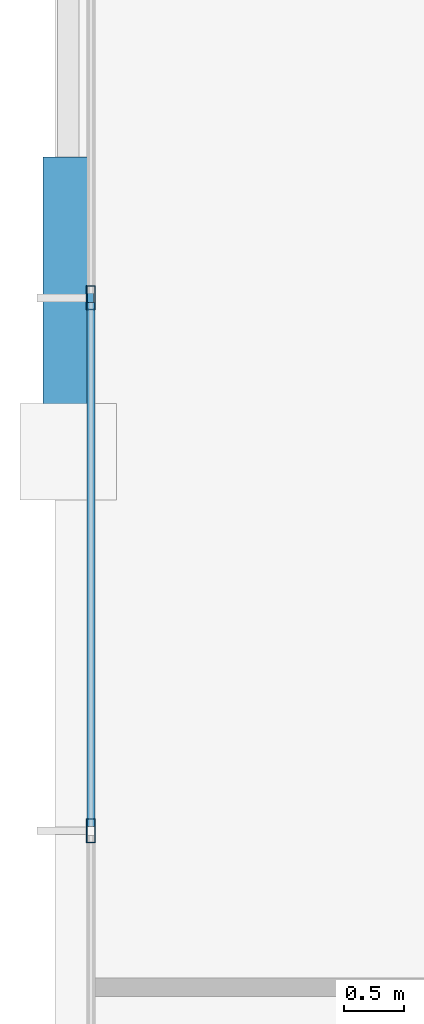
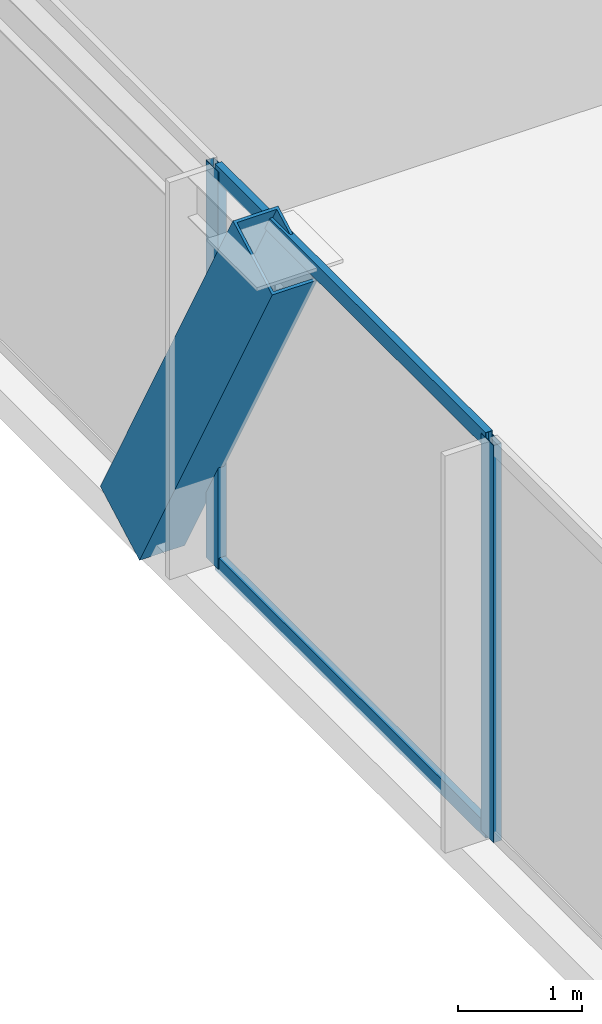
# One storey, part 11 of 46: 5 members, 1 element without a shape of its own.
"""IFC4 building model written with IfcOpenShell, lengths in metres."""

import ifcopenshell
import ifcopenshell.guid

model = None  # the IFC model being written
_history = None  # IfcOwnerHistory: only IFC2X3 demands one
_inside = {}  # id of a spatial element -> (the spatial element, [elements in it])
_under = {}  # id of a project, library or spatial element -> (it, [spatial elements below it])
_declared = {}  # id of a project -> (the project, [libraries it declares])
_typed = {}  # id of a type object -> (the type object, [elements of that type])
_made_of = {}  # id of a material, layer set ... -> (it, [elements and type objects made of it])


def new_model(schema):
    """Start an empty IFC model of exactly this schema.

    Asked for "IFC4X3", IfcOpenShell would pick the latest addendum, in which some entities
    have other attributes; the version numbers below select the first issue.
    IFC2X3 requires an IfcOwnerHistory on every rooted entity: one is made here for all.
    """
    global model, _history
    if schema == "IFC4X3":
        model = ifcopenshell.file(schema_version=(4, 3, 0, 0))
    else:
        model = ifcopenshell.file(schema=schema)
    _inside.clear()
    _under.clear()
    _declared.clear()
    _typed.clear()
    _made_of.clear()
    _history = None
    if model.schema == "IFC2X3":
        org = make("IfcOrganization", Name="unknown")
        user = make(
            "IfcPersonAndOrganization",
            ThePerson=make("IfcPerson", FamilyName="unknown"),
            TheOrganization=org,
        )
        app = make(
            "IfcApplication",
            ApplicationDeveloper=org,
            Version="unknown",
            ApplicationFullName="unknown",
            ApplicationIdentifier="unknown",
        )
        _history = make(
            "IfcOwnerHistory",
            OwningUser=user,
            OwningApplication=app,
            ChangeAction="ADDED",
            CreationDate=0,
        )
    return model


def make(cls, **values):
    """One entity of the class cls with the attributes given. An attribute that is None is left unset."""
    return model.create_entity(
        cls, **{name: value for name, value in values.items() if value is not None}
    )


def rooted(cls, **values):
    """An entity with a GlobalId (a new one), such as an element, a storey or a relation."""
    return make(cls, GlobalId=ifcopenshell.guid.new(), OwnerHistory=_history, **values)


def si_unit(unit_type, name, prefix=None):
    """IfcSIUnit, for example si_unit("LENGTHUNIT", "METRE", prefix="MILLI")."""
    return make("IfcSIUnit", UnitType=unit_type, Prefix=prefix, Name=name)


def assignment(units):
    """IfcUnitAssignment: the units of a project."""
    return None if units is None else make("IfcUnitAssignment", Units=units)


def point(xyz):
    """IfcCartesianPoint."""
    return None if xyz is None else make("IfcCartesianPoint", Coordinates=xyz)


def direction(xyz):
    """IfcDirection."""
    return None if xyz is None else make("IfcDirection", DirectionRatios=xyz)


def frame(location, z_axis=None, x_axis=None):
    """IfcAxis2Placement3D, a coordinate frame: its origin and axes. An axis left out is left unset."""
    return make(
        "IfcAxis2Placement3D",
        Location=point(location),
        Axis=direction(z_axis),
        RefDirection=direction(x_axis),
    )


def frame_2d(location, x_axis=None):
    """IfcAxis2Placement2D, a coordinate frame in the plane: its origin and x axis."""
    return make(
        "IfcAxis2Placement2D", Location=point(location), RefDirection=direction(x_axis)
    )


def origin():
    """The frame at (0, 0, 0) with its axes left unset."""
    return frame((0.0, 0.0, 0.0))


def origin_2d():
    """The frame at (0, 0) in the plane with its x axis left unset."""
    return frame_2d((0.0, 0.0))


def place(relative_to, where):
    """IfcLocalPlacement: puts the frame where relative to a parent placement (None: the world)."""
    return make(
        "IfcLocalPlacement", PlacementRelTo=relative_to, RelativePlacement=where
    )


def context(
    kind, dimensions, precision=None, world=None, true_north=None, identifier=None
):
    """IfcGeometricRepresentationContext, for example the 3D "Model" context."""
    return make(
        "IfcGeometricRepresentationContext",
        ContextIdentifier=identifier,
        ContextType=kind,
        CoordinateSpaceDimension=dimensions,
        Precision=precision,
        WorldCoordinateSystem=world,
        TrueNorth=true_north,
    )


def subcontext(parent, identifier, kind, view, scale=None):
    """IfcGeometricRepresentationSubContext, for example "Body" below "Model"."""
    return make(
        "IfcGeometricRepresentationSubContext",
        ContextIdentifier=identifier,
        ContextType=kind,
        ParentContext=parent,
        TargetScale=scale,
        TargetView=view,
    )


def project(units=None, contexts=None):
    """IfcProject with its units and contexts."""
    return rooted(
        "IfcProject",
        Name="project",
        RepresentationContexts=contexts,
        UnitsInContext=assignment(units),
    )


def spatial(cls, under=None, at=None, **own):
    """A site, building, storey or space (cls), placed at a placement, below another one or the project."""
    s = rooted(cls, ObjectPlacement=at, **own)
    if under is not None:
        _under.setdefault(under.id(), (under, []))[1].append(s)
    return s


def profile(cls, at=None, kind="AREA", **sizes):
    """A parametric profile (cls). Its sizes go by their IFC names, for example OverallWidth=200.0."""
    return make(cls, ProfileType=kind, Position=at, **sizes)


def hollow_rectangle(**sizes):
    """IfcRectangleHollowProfileDef."""
    return profile("IfcRectangleHollowProfileDef", **sizes)


def extrude(swept, where, along, depth):
    """IfcExtrudedAreaSolid: the profile swept, set in the frame where, extruded along a direction by depth."""
    return make(
        "IfcExtrudedAreaSolid",
        SweptArea=swept,
        Position=where,
        ExtrudedDirection=direction(along),
        Depth=depth,
    )


def shape(context_of_items, identifier, shape_type, items):
    """IfcShapeRepresentation: the items that make up one representation, for example the "Body"."""
    return make(
        "IfcShapeRepresentation",
        ContextOfItems=context_of_items,
        RepresentationIdentifier=identifier,
        RepresentationType=shape_type,
        Items=items,
    )


def material(Name=None, Category=None):
    """IfcMaterial."""
    return make("IfcMaterial", Name=Name, Category=Category)


def layer(
    of_material, thickness, ventilated=None, Name=None, Category=None, Priority=None
):
    """IfcMaterialLayer: one layer of a wall or slab, of a material (None: an air gap)."""
    return make(
        "IfcMaterialLayer",
        Material=of_material,
        LayerThickness=thickness,
        IsVentilated=ventilated,
        Name=Name,
        Category=Category,
        Priority=Priority,
    )


def layer_set(layers, Name=None):
    """IfcMaterialLayerSet."""
    return make("IfcMaterialLayerSet", MaterialLayers=layers, LayerSetName=Name)


def material_profile(
    of_material, cross_section, Name=None, Category=None, Priority=None
):
    """IfcMaterialProfile: a cross section and its material."""
    return make(
        "IfcMaterialProfile",
        Name=Name,
        Material=of_material,
        Profile=cross_section,
        Priority=Priority,
        Category=Category,
    )


def profile_set(profiles, Name=None, composite=None):
    """IfcMaterialProfileSet."""
    return make(
        "IfcMaterialProfileSet",
        Name=Name,
        MaterialProfiles=profiles,
        CompositeProfile=composite,
    )


def made_of(thing, what):
    """Note that an element or type object is made of a material, layer set ...; save() writes the relation."""
    if what is not None:
        _made_of.setdefault(what.id(), (what, []))[1].append(thing)
    return thing


def type_object(cls, material=None, **own):
    """A type object (cls), such as IfcWallType, which elements share."""
    return made_of(rooted(cls, **own), material)


def element(
    cls,
    number,
    at=None,
    inside=None,
    cuts=None,
    type_object=None,
    material=None,
    context=None,
    identifier="Body",
    shape_type=None,
    held_by="IfcProductDefinitionShape",
    body=None,
    shapes=None,
    **own,
):
    """One element of the class cls, such as IfcWall. Its Tag is "e" and its number.

    at: its placement. inside: the storey or other place that contains it. cuts: it is an
    opening in that element (IfcRelVoidsElement). A single representation is given by context,
    identifier, shape_type and body (its items); several are given by shapes. held_by: the class
    of the entity that holds the representations. save() writes the other relations.
    """
    e = rooted(cls, Tag="e%d" % number, ObjectPlacement=at, **own)
    if body is not None:
        shapes = [shape(context, identifier, shape_type, body)]
    if shapes is not None:
        e.Representation = make(held_by, Representations=shapes)
    if inside is not None:
        _inside.setdefault(inside.id(), (inside, []))[1].append(e)
    if cuts is not None:
        rooted(
            "IfcRelVoidsElement", RelatingBuildingElement=cuts, RelatedOpeningElement=e
        )
    if type_object is not None:
        _typed.setdefault(type_object.id(), (type_object, []))[1].append(e)
    return made_of(e, material)


def aggregate(whole, parts):
    """IfcRelAggregates: a whole, such as a stair, and the parts it consists of."""
    return rooted("IfcRelAggregates", RelatingObject=whole, RelatedObjects=parts)


def save(model, path):
    """Write the relations noted so far, then the file.

    IfcRelAggregates (storeys below a building ...), IfcRelContainedInSpatialStructure (elements
    in a storey), IfcRelDefinesByType, IfcRelAssociatesMaterial and IfcRelDeclares: one each for
    every whole, place, type object, material and project.
    """
    for whole, parts in _under.values():
        aggregate(whole, parts)
    for where, things in _inside.values():
        rooted(
            "IfcRelContainedInSpatialStructure",
            RelatedElements=things,
            RelatingStructure=where,
        )
    for kind, things in _typed.values():
        rooted("IfcRelDefinesByType", RelatedObjects=things, RelatingType=kind)
    for what, things in _made_of.values():
        rooted("IfcRelAssociatesMaterial", RelatedObjects=things, RelatingMaterial=what)
    for by, libraries in _declared.values():
        rooted("IfcRelDeclares", RelatingContext=by, RelatedDefinitions=libraries)
    model.write(path)


model = new_model("IFC4")

# Units and contexts
model_context = context("Model", 3, precision=1e-05, world=origin(), true_north=direction((0.0, 1.0)))
body_context = subcontext(model_context, "Body", "Model", "MODEL_VIEW")
ifc_project = project(units=[si_unit("LENGTHUNIT", "METRE"), si_unit("AREAUNIT", "SQUARE_METRE"), si_unit("VOLUMEUNIT", "CUBIC_METRE"), si_unit("PLANEANGLEUNIT", "RADIAN"), si_unit("MASSUNIT", "GRAM", prefix="KILO")], contexts=[model_context])

# Site, building, storey
site_placement = place(None, origin())
site = spatial("IfcSite", under=ifc_project, at=site_placement, CompositionType="ELEMENT")
building_placement = place(site_placement, origin())
building = spatial("IfcBuilding", under=site, at=building_placement, Name="Orvanel Arch Residences", CompositionType="ELEMENT")
storey_placement = place(building_placement, frame((0.0, 0.0, 14.10009765625)))
storey = spatial("IfcBuildingStorey", under=building, at=storey_placement, Name="L03", CompositionType="ELEMENT", Elevation=14.10009765625)

# Member
ifc_material_1 = material(Name="Structural steel AS/NZS 3678 Grade 350", Category="steel")
ifc_material_profile_1 = material_profile(ifc_material_1, hollow_rectangle(XDim=0.419921875, YDim=0.719970703125, WallThickness=0.02490234375, at=origin_2d()), Name="RHS720x420x25")
ifc_profile_set_1 = profile_set([ifc_material_profile_1], Name="Structural steel AS/NZS 3678 Grade 350")
member_type_1 = type_object("IfcMemberType", Name="BR-720RHS-EXT", PredefinedType="BRACE", material=ifc_profile_set_1)
member_1_placement = place(storey_placement, frame((1.360107421875, 32.783935546875, 0.0), z_axis=(0.0, -0.480032945873, 0.877250460745), x_axis=(1.0, 0.0, 0.0)))
element("IfcMember", 1, at=member_1_placement, inside=storey, type_object=member_type_1, Name="L03 Podium Multi-Storey V-Strut Pair W2 Leg 1", PredefinedType="BRACE", context=body_context, shape_type="SweptSolid", body=[
    extrude(hollow_rectangle(XDim=0.419921875, YDim=0.719970703125, WallThickness=0.02490234375, at=origin_2d()), origin(), (0.0, 0.0, 1.0), 4.445556640625),
])

# Curtain wall, members
ifc_material_2 = material(Name="Bronze-anodised aluminium AA6063-T6", Category="aluminium")
ifc_layer = layer(ifc_material_2, 0.199951171875)
ifc_layer_set = layer_set([ifc_layer], Name="Bronze-anodised aluminium AA6063-T6")
curtain_wall_type = type_object("IfcCurtainWallType", Name="CW1-POD-SYS", PredefinedType="NOTDEFINED", material=ifc_layer_set)
curtain_wall_placement = place(storey_placement, origin())
curtain_wall = element("IfcCurtainWall", 2, at=curtain_wall_placement, inside=storey, type_object=curtain_wall_type, Name="L03 CW1-POD-SYS Unitised Curtain Wall", PredefinedType="NOTDEFINED")
ifc_material_profile_2 = material_profile(ifc_material_2, hollow_rectangle(XDim=0.074951171875, YDim=0.199951171875, WallThickness=0.0048828125, at=origin_2d()), Name="ALU200x75x5")
ifc_profile_set_2 = profile_set([ifc_material_profile_2], Name="Bronze-anodised aluminium AA6063-T6")
member_type_2 = type_object("IfcMemberType", Name="MUL-200x75", PredefinedType="MULLION", material=ifc_profile_set_2)
member_2_placement = place(storey_placement, frame((1.550048828125, 31.929931640625, 0.0), z_axis=(0.0, 0.0, 1.0), x_axis=(1.0, 0.0, 0.0)))
member_2 = element("IfcMember", 3, at=member_2_placement, type_object=member_type_2, Name="CW-S1 mullion 2", PredefinedType="MULLION", context=body_context, shape_type="SweptSolid", body=[
    extrude(hollow_rectangle(XDim=0.074951171875, YDim=0.199951171875, WallThickness=0.0048828125, at=origin_2d()), origin(), (0.0, 0.0, 1.0), 3.89990234375),
])
member_3_placement = place(storey_placement, frame((1.550048828125, 27.5, 0.0), z_axis=(0.0, 0.0, 1.0), x_axis=(1.0, 0.0, 0.0)))
member_3 = element("IfcMember", 4, at=member_3_placement, type_object=member_type_2, Name="CW-S1 mullion 3", PredefinedType="MULLION", context=body_context, shape_type="SweptSolid", body=[
    extrude(hollow_rectangle(XDim=0.074951171875, YDim=0.199951171875, WallThickness=0.0048828125, at=origin_2d()), origin(), (0.0, 0.0, 1.0), 3.89990234375),
])
ifc_material_profile_3 = material_profile(ifc_material_2, hollow_rectangle(XDim=0.06494140625, YDim=0.14990234375, WallThickness=0.00390625, at=origin_2d()), Name="ALU150x65x4")
ifc_profile_set_3 = profile_set([ifc_material_profile_3], Name="Bronze-anodised aluminium AA6063-T6")
member_type_3 = type_object("IfcMemberType", Name="TRN-150x65", PredefinedType="USERDEFINED", material=ifc_profile_set_3)
member_4_placement = place(storey_placement, frame((1.550048828125, 31.892578125, 0.032470703125), z_axis=(0.0, -1.0, 0.0), x_axis=(1.0, 0.0, 0.0)))
member_4 = element("IfcMember", 5, at=member_4_placement, type_object=member_type_3, Name="CW-S1 transom 2.1", ObjectType="TRANSOM", PredefinedType="USERDEFINED", context=body_context, shape_type="SweptSolid", body=[
    extrude(hollow_rectangle(XDim=0.06494140625, YDim=0.14990234375, WallThickness=0.00390625, at=origin_2d()), origin(), (0.0, 0.0, 1.0), 4.35498046875),
])
member_5_placement = place(storey_placement, frame((1.550048828125, 31.892578125, 3.867431640625), z_axis=(0.0, -1.0, 0.0), x_axis=(1.0, 0.0, 0.0)))
member_5 = element("IfcMember", 6, at=member_5_placement, type_object=member_type_3, Name="CW-S1 transom 2.2", ObjectType="TRANSOM", PredefinedType="USERDEFINED", context=body_context, shape_type="SweptSolid", body=[
    extrude(hollow_rectangle(XDim=0.06494140625, YDim=0.14990234375, WallThickness=0.00390625, at=origin_2d()), origin(), (0.0, 0.0, 1.0), 4.35498046875),
])
aggregate(curtain_wall, [member_2, member_3, member_4, member_5])

save(model, "model.ifc")
